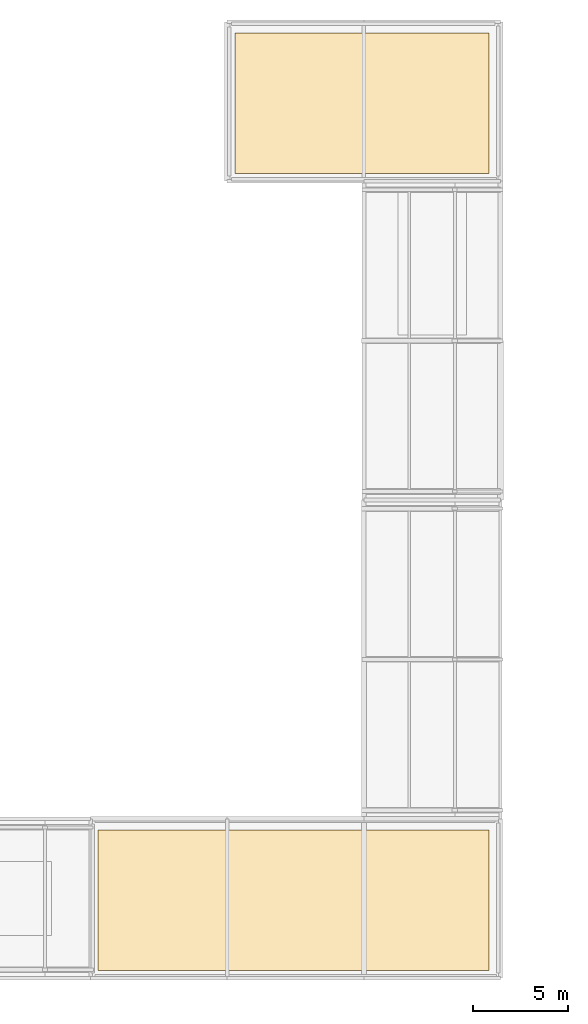
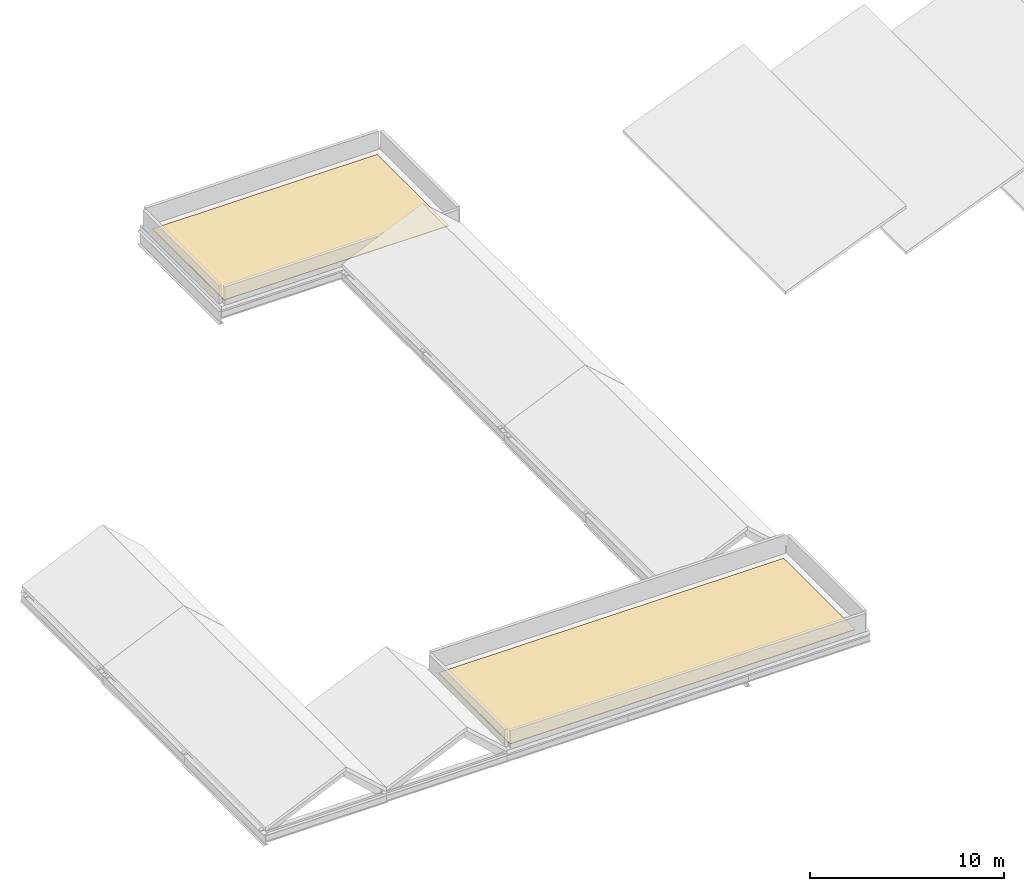
# One storey, part 3 of 3: 2 coverings.
"""IFC4 building model written with IfcOpenShell, lengths in metres."""

import ifcopenshell
import ifcopenshell.guid

model = None  # the IFC model being written
_history = None  # IfcOwnerHistory: only IFC2X3 demands one
_inside = {}  # id of a spatial element -> (the spatial element, [elements in it])
_under = {}  # id of a project, library or spatial element -> (it, [spatial elements below it])
_declared = {}  # id of a project -> (the project, [libraries it declares])
_typed = {}  # id of a type object -> (the type object, [elements of that type])
_made_of = {}  # id of a material, layer set ... -> (it, [elements and type objects made of it])


def new_model(schema):
    """Start an empty IFC model of exactly this schema.

    Asked for "IFC4X3", IfcOpenShell would pick the latest addendum, in which some entities
    have other attributes; the version numbers below select the first issue.
    IFC2X3 requires an IfcOwnerHistory on every rooted entity: one is made here for all.
    """
    global model, _history
    if schema == "IFC4X3":
        model = ifcopenshell.file(schema_version=(4, 3, 0, 0))
    else:
        model = ifcopenshell.file(schema=schema)
    _inside.clear()
    _under.clear()
    _declared.clear()
    _typed.clear()
    _made_of.clear()
    _history = None
    if model.schema == "IFC2X3":
        org = make("IfcOrganization", Name="unknown")
        user = make(
            "IfcPersonAndOrganization",
            ThePerson=make("IfcPerson", FamilyName="unknown"),
            TheOrganization=org,
        )
        app = make(
            "IfcApplication",
            ApplicationDeveloper=org,
            Version="unknown",
            ApplicationFullName="unknown",
            ApplicationIdentifier="unknown",
        )
        _history = make(
            "IfcOwnerHistory",
            OwningUser=user,
            OwningApplication=app,
            ChangeAction="ADDED",
            CreationDate=0,
        )
    return model


def make(cls, **values):
    """One entity of the class cls with the attributes given. An attribute that is None is left unset."""
    return model.create_entity(
        cls, **{name: value for name, value in values.items() if value is not None}
    )


def rooted(cls, **values):
    """An entity with a GlobalId (a new one), such as an element, a storey or a relation."""
    return make(cls, GlobalId=ifcopenshell.guid.new(), OwnerHistory=_history, **values)


def si_unit(unit_type, name, prefix=None):
    """IfcSIUnit, for example si_unit("LENGTHUNIT", "METRE", prefix="MILLI")."""
    return make("IfcSIUnit", UnitType=unit_type, Prefix=prefix, Name=name)


def assignment(units):
    """IfcUnitAssignment: the units of a project."""
    return None if units is None else make("IfcUnitAssignment", Units=units)


def point(xyz):
    """IfcCartesianPoint."""
    return None if xyz is None else make("IfcCartesianPoint", Coordinates=xyz)


def direction(xyz):
    """IfcDirection."""
    return None if xyz is None else make("IfcDirection", DirectionRatios=xyz)


def frame(location, z_axis=None, x_axis=None):
    """IfcAxis2Placement3D, a coordinate frame: its origin and axes. An axis left out is left unset."""
    return make(
        "IfcAxis2Placement3D",
        Location=point(location),
        Axis=direction(z_axis),
        RefDirection=direction(x_axis),
    )


def origin():
    """The frame at (0, 0, 0) with its axes left unset."""
    return frame((0.0, 0.0, 0.0))


def place(relative_to, where):
    """IfcLocalPlacement: puts the frame where relative to a parent placement (None: the world)."""
    return make(
        "IfcLocalPlacement", PlacementRelTo=relative_to, RelativePlacement=where
    )


def context(
    kind, dimensions, precision=None, world=None, true_north=None, identifier=None
):
    """IfcGeometricRepresentationContext, for example the 3D "Model" context."""
    return make(
        "IfcGeometricRepresentationContext",
        ContextIdentifier=identifier,
        ContextType=kind,
        CoordinateSpaceDimension=dimensions,
        Precision=precision,
        WorldCoordinateSystem=world,
        TrueNorth=true_north,
    )


def subcontext(parent, identifier, kind, view, scale=None):
    """IfcGeometricRepresentationSubContext, for example "Body" below "Model"."""
    return make(
        "IfcGeometricRepresentationSubContext",
        ContextIdentifier=identifier,
        ContextType=kind,
        ParentContext=parent,
        TargetScale=scale,
        TargetView=view,
    )


def project(units=None, contexts=None):
    """IfcProject with its units and contexts."""
    return rooted(
        "IfcProject",
        Name="project",
        RepresentationContexts=contexts,
        UnitsInContext=assignment(units),
    )


def spatial(cls, under=None, at=None, **own):
    """A site, building, storey or space (cls), placed at a placement, below another one or the project."""
    s = rooted(cls, ObjectPlacement=at, **own)
    if under is not None:
        _under.setdefault(under.id(), (under, []))[1].append(s)
    return s


def polyline(points):
    """IfcPolyline through the points."""
    return make("IfcPolyline", Points=[point(p) for p in points])


def outline(outer, holes=None, kind="AREA"):
    """IfcArbitraryClosedProfileDef: a profile drawn as a closed curve; with holes, ...WithVoids."""
    if holes is None:
        return make("IfcArbitraryClosedProfileDef", ProfileType=kind, OuterCurve=outer)
    return make(
        "IfcArbitraryProfileDefWithVoids",
        ProfileType=kind,
        OuterCurve=outer,
        InnerCurves=holes,
    )


def extrude(swept, where, along, depth):
    """IfcExtrudedAreaSolid: the profile swept, set in the frame where, extruded along a direction by depth."""
    return make(
        "IfcExtrudedAreaSolid",
        SweptArea=swept,
        Position=where,
        ExtrudedDirection=direction(along),
        Depth=depth,
    )


def shape(context_of_items, identifier, shape_type, items):
    """IfcShapeRepresentation: the items that make up one representation, for example the "Body"."""
    return make(
        "IfcShapeRepresentation",
        ContextOfItems=context_of_items,
        RepresentationIdentifier=identifier,
        RepresentationType=shape_type,
        Items=items,
    )


def material(Name=None, Category=None):
    """IfcMaterial."""
    return make("IfcMaterial", Name=Name, Category=Category)


def layer(
    of_material, thickness, ventilated=None, Name=None, Category=None, Priority=None
):
    """IfcMaterialLayer: one layer of a wall or slab, of a material (None: an air gap)."""
    return make(
        "IfcMaterialLayer",
        Material=of_material,
        LayerThickness=thickness,
        IsVentilated=ventilated,
        Name=Name,
        Category=Category,
        Priority=Priority,
    )


def layer_set(layers, Name=None):
    """IfcMaterialLayerSet."""
    return make("IfcMaterialLayerSet", MaterialLayers=layers, LayerSetName=Name)


def made_of(thing, what):
    """Note that an element or type object is made of a material, layer set ...; save() writes the relation."""
    if what is not None:
        _made_of.setdefault(what.id(), (what, []))[1].append(thing)
    return thing


def type_object(cls, material=None, **own):
    """A type object (cls), such as IfcWallType, which elements share."""
    return made_of(rooted(cls, **own), material)


def element(
    cls,
    number,
    at=None,
    inside=None,
    cuts=None,
    type_object=None,
    material=None,
    context=None,
    identifier="Body",
    shape_type=None,
    held_by="IfcProductDefinitionShape",
    body=None,
    shapes=None,
    **own,
):
    """One element of the class cls, such as IfcWall. Its Tag is "e" and its number.

    at: its placement. inside: the storey or other place that contains it. cuts: it is an
    opening in that element (IfcRelVoidsElement). A single representation is given by context,
    identifier, shape_type and body (its items); several are given by shapes. held_by: the class
    of the entity that holds the representations. save() writes the other relations.
    """
    e = rooted(cls, Tag="e%d" % number, ObjectPlacement=at, **own)
    if body is not None:
        shapes = [shape(context, identifier, shape_type, body)]
    if shapes is not None:
        e.Representation = make(held_by, Representations=shapes)
    if inside is not None:
        _inside.setdefault(inside.id(), (inside, []))[1].append(e)
    if cuts is not None:
        rooted(
            "IfcRelVoidsElement", RelatingBuildingElement=cuts, RelatedOpeningElement=e
        )
    if type_object is not None:
        _typed.setdefault(type_object.id(), (type_object, []))[1].append(e)
    return made_of(e, material)


def aggregate(whole, parts):
    """IfcRelAggregates: a whole, such as a stair, and the parts it consists of."""
    return rooted("IfcRelAggregates", RelatingObject=whole, RelatedObjects=parts)


def save(model, path):
    """Write the relations noted so far, then the file.

    IfcRelAggregates (storeys below a building ...), IfcRelContainedInSpatialStructure (elements
    in a storey), IfcRelDefinesByType, IfcRelAssociatesMaterial and IfcRelDeclares: one each for
    every whole, place, type object, material and project.
    """
    for whole, parts in _under.values():
        aggregate(whole, parts)
    for where, things in _inside.values():
        rooted(
            "IfcRelContainedInSpatialStructure",
            RelatedElements=things,
            RelatingStructure=where,
        )
    for kind, things in _typed.values():
        rooted("IfcRelDefinesByType", RelatedObjects=things, RelatingType=kind)
    for what, things in _made_of.values():
        rooted("IfcRelAssociatesMaterial", RelatedObjects=things, RelatingMaterial=what)
    for by, libraries in _declared.values():
        rooted("IfcRelDeclares", RelatingContext=by, RelatedDefinitions=libraries)
    model.write(path)


model = new_model("IFC4")

# Units and contexts
model_context = context("Model", 3, precision=1e-05, world=origin(), true_north=direction((0.0, 1.0)))
body_context = subcontext(model_context, "Body", "Model", "MODEL_VIEW")
ifc_project = project(units=[si_unit("LENGTHUNIT", "METRE"), si_unit("AREAUNIT", "SQUARE_METRE"), si_unit("VOLUMEUNIT", "CUBIC_METRE"), si_unit("PLANEANGLEUNIT", "RADIAN"), si_unit("MASSUNIT", "GRAM", prefix="KILO")], contexts=[model_context])

# Site, building, storey
site_placement = place(None, origin())
site = spatial("IfcSite", under=ifc_project, at=site_placement, CompositionType="ELEMENT")
building_placement = place(site_placement, origin())
building = spatial("IfcBuilding", under=site, at=building_placement, Name="Qelthora Terrace Specialist Clinic", CompositionType="ELEMENT")
storey_placement = place(building_placement, frame((0.0, 0.0, 25.800048828125)))
storey = spatial("IfcBuildingStorey", under=building, at=storey_placement, Name="Roof", CompositionType="ELEMENT", Elevation=25.800048828125)

# Coverings
ifc_material = material(Name="Standing-seam titanium-zinc", Category="metals")
ifc_layer = layer(ifc_material, 0.0400390625)
ifc_layer_set = layer_set([ifc_layer], Name="Standing-seam titanium-zinc")
covering_type = type_object("IfcCoveringType", Name="COV-ROOF-ZINC", PredefinedType="ROOFING", material=ifc_layer_set)
covering_1_placement = place(storey_placement, origin())
element("IfcCovering", 1, at=covering_1_placement, inside=storey, type_object=covering_type, Name="Standing-seam zinc roof covering RCOV-Roof-01", PredefinedType="ROOFING", context=body_context, shape_type="SweptSolid", body=[
    extrude(outline(polyline([(29.199951171875, 101.199951171875), (42.60009765625, 101.199951171875), (42.60009765625, 108.60009765625), (29.199951171875, 108.60009765625), (29.199951171875, 101.199951171875)])), origin(), (0.0, 0.0, 1.0), 0.0400390625),
])
covering_2_placement = place(storey_placement, origin())
element("IfcCovering", 2, at=covering_2_placement, inside=storey, type_object=covering_type, Name="Standing-seam zinc roof covering RCOV-Roof-02", PredefinedType="ROOFING", context=body_context, shape_type="SweptSolid", body=[
    extrude(outline(polyline([(22.0, 59.199951171875), (42.60009765625, 59.199951171875), (42.60009765625, 66.60009765625), (22.0, 66.60009765625), (22.0, 59.199951171875)])), origin(), (0.0, 0.0, 1.0), 0.0400390625),
])

save(model, "model.ifc")
